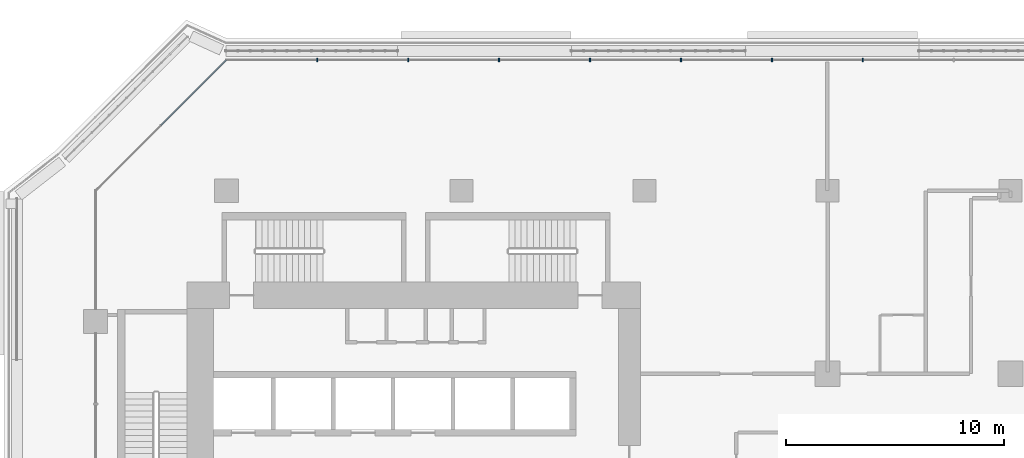
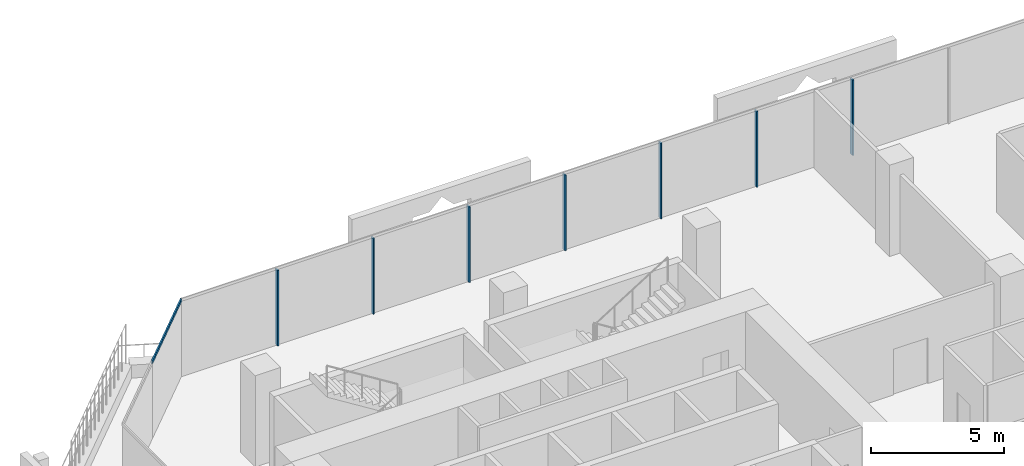
# One storey, part 8 of 27: 8 members, 2 elements without a shape of their own.
"""IFC4 building model written with IfcOpenShell, lengths in metres."""

from ifc_helpers import new_model, si_unit, direction, frame, origin, origin_2d, place, context, subcontext, project, spatial, rectangle, extrude, material, layer, layer_set, material_profile, profile_set, type_object, element, aggregate, save


model = new_model("IFC4")

# Units and contexts
model_context = context("Model", 3, precision=1e-05, world=origin(), true_north=direction((0.0, 1.0)))
body_context = subcontext(model_context, "Body", "Model", "MODEL_VIEW")
ifc_project = project(units=[si_unit("LENGTHUNIT", "METRE"), si_unit("AREAUNIT", "SQUARE_METRE"), si_unit("VOLUMEUNIT", "CUBIC_METRE"), si_unit("PLANEANGLEUNIT", "RADIAN"), si_unit("MASSUNIT", "GRAM", prefix="KILO")], contexts=[model_context])

# Site, building, storey
site_placement = place(None, origin())
site = spatial("IfcSite", under=ifc_project, at=site_placement, CompositionType="ELEMENT")
building_placement = place(site_placement, origin())
building = spatial("IfcBuilding", under=site, at=building_placement, Name="Kawkab Arch Medical Tower", CompositionType="ELEMENT")
storey_placement = place(building_placement, frame((0.0, 0.0, 115.60009765625)))
storey = spatial("IfcBuildingStorey", under=building, at=storey_placement, Name="L26", CompositionType="ELEMENT", Elevation=115.60009765625)

# Curtain wall, members
ifc_material_1 = material(Name="Bronze anodised aluminium curtain wall frame", Category="aluminium")
ifc_layer_1 = layer(ifc_material_1, 0.159912109375)
ifc_layer_set_1 = layer_set([ifc_layer_1], Name="Bronze anodised aluminium curtain wall frame")
curtain_wall_type_1 = type_object("IfcCurtainWallType", Name="CW1 ward curtain wall", PredefinedType="NOTDEFINED", material=ifc_layer_set_1)
placement = place(storey_placement, origin())
curtain_wall_1 = element("IfcCurtainWall", 1, at=placement, inside=storey, type_object=curtain_wall_type_1, Name="CW1 Ward curtain wall R11", PredefinedType="NOTDEFINED")
ifc_material_2 = material(Name="Bronze anodised aluminium curtain wall frame", Category="aluminium")
ifc_material_profile_1 = material_profile(ifc_material_2, rectangle(XDim=0.179931640625, YDim=0.06005859375, at=origin_2d()), Name="AL 60x180")
ifc_profile_set_1 = profile_set([ifc_material_profile_1], Name="Bronze anodised aluminium curtain wall frame")
member_type_1 = type_object("IfcMemberType", Name="CW1 mullion 60 x 180", PredefinedType="MULLION", material=ifc_profile_set_1)
member_1_placement = place(storey_placement, frame((35.21337890625, 6.0, 0.0), z_axis=(0.0, 0.0, 1.0), x_axis=(0.0, -1.0, 0.0)))
member_1 = element("IfcMember", 2, at=member_1_placement, type_object=member_type_1, Name="CW1 mullion 1.8", PredefinedType="MULLION", context=body_context, shape_type="SweptSolid", body=[
    extrude(rectangle(XDim=0.179931640625, YDim=0.06005859375, at=origin_2d()), origin(), (0.0, 0.0, 1.0), 3.47998046875),
])
member_2_placement = place(storey_placement, frame((31.0400390625, 6.0, 0.0), z_axis=(0.0, 0.0, 1.0), x_axis=(0.0, -1.0, 0.0)))
member_2 = element("IfcMember", 3, at=member_2_placement, type_object=member_type_1, Name="CW1 mullion 1.9", PredefinedType="MULLION", context=body_context, shape_type="SweptSolid", body=[
    extrude(rectangle(XDim=0.179931640625, YDim=0.06005859375, at=origin_2d()), origin(), (0.0, 0.0, 1.0), 3.47998046875),
])
member_3_placement = place(storey_placement, frame((26.86669921875, 6.0, 0.0), z_axis=(0.0, 0.0, 1.0), x_axis=(0.0, -1.0, 0.0)))
member_3 = element("IfcMember", 4, at=member_3_placement, type_object=member_type_1, Name="CW1 mullion 1.10", PredefinedType="MULLION", context=body_context, shape_type="SweptSolid", body=[
    extrude(rectangle(XDim=0.179931640625, YDim=0.06005859375, at=origin_2d()), origin(), (0.0, 0.0, 1.0), 3.47998046875),
])
member_4_placement = place(storey_placement, frame((22.693359375, 6.0, 0.0), z_axis=(0.0, 0.0, 1.0), x_axis=(0.0, -1.0, 0.0)))
member_4 = element("IfcMember", 5, at=member_4_placement, type_object=member_type_1, Name="CW1 mullion 1.11", PredefinedType="MULLION", context=body_context, shape_type="SweptSolid", body=[
    extrude(rectangle(XDim=0.179931640625, YDim=0.06005859375, at=origin_2d()), origin(), (0.0, 0.0, 1.0), 3.47998046875),
])
member_5_placement = place(storey_placement, frame((18.52001953125, 6.0, 0.0), z_axis=(0.0, 0.0, 1.0), x_axis=(0.0, -1.0, 0.0)))
member_5 = element("IfcMember", 6, at=member_5_placement, type_object=member_type_1, Name="CW1 mullion 1.12", PredefinedType="MULLION", context=body_context, shape_type="SweptSolid", body=[
    extrude(rectangle(XDim=0.179931640625, YDim=0.06005859375, at=origin_2d()), origin(), (0.0, 0.0, 1.0), 3.47998046875),
])
member_6_placement = place(storey_placement, frame((14.3466796875, 6.0, 0.0), z_axis=(0.0, 0.0, 1.0), x_axis=(0.0, -1.0, 0.0)))
member_6 = element("IfcMember", 7, at=member_6_placement, type_object=member_type_1, Name="CW1 mullion 1.13", PredefinedType="MULLION", context=body_context, shape_type="SweptSolid", body=[
    extrude(rectangle(XDim=0.179931640625, YDim=0.06005859375, at=origin_2d()), origin(), (0.0, 0.0, 1.0), 3.47998046875),
])
member_7_placement = place(storey_placement, frame((10.17333984375, 6.0, 0.0), z_axis=(0.0, 0.0, 1.0), x_axis=(0.0, -1.0, 0.0)))
member_7 = element("IfcMember", 8, at=member_7_placement, type_object=member_type_1, Name="CW1 mullion 1.14", PredefinedType="MULLION", context=body_context, shape_type="SweptSolid", body=[
    extrude(rectangle(XDim=0.179931640625, YDim=0.06005859375, at=origin_2d()), origin(), (0.0, 0.0, 1.0), 3.47998046875),
])
aggregate(curtain_wall_1, [member_1, member_2, member_3, member_4, member_5, member_6, member_7])

# Curtain wall, member
ifc_material_3 = material(Name="Bronze anodised aluminium curtain wall frame", Category="aluminium")
ifc_layer_2 = layer(ifc_material_3, 0.159912109375)
ifc_layer_set_2 = layer_set([ifc_layer_2], Name="Bronze anodised aluminium curtain wall frame")
curtain_wall_type_2 = type_object("IfcCurtainWallType", Name="CW2 chamfer curtain wall", PredefinedType="NOTDEFINED", material=ifc_layer_set_2)
curtain_wall_2 = element("IfcCurtainWall", 9, at=placement, inside=storey, type_object=curtain_wall_type_2, Name="CW2 Chamfer curtain wall R12", PredefinedType="NOTDEFINED")
ifc_material_4 = material(Name="Bronze anodised aluminium curtain wall frame", Category="aluminium")
ifc_material_profile_2 = material_profile(ifc_material_4, rectangle(XDim=0.06005859375, YDim=0.139892578125, at=origin_2d()), Name="AL 60x140")
ifc_profile_set_2 = profile_set([ifc_material_profile_2], Name="Bronze anodised aluminium curtain wall frame")
member_type_2 = type_object("IfcMemberType", Name="CW2 transom 140 x 60", PredefinedType="USERDEFINED", material=ifc_profile_set_2)
member_8_placement = place(storey_placement, frame((6.0, 6.0, 3.52978515625), z_axis=(-0.707106781187, -0.707106781187, 0.0), x_axis=(0.707106781187, -0.707106781187, 0.0)))
member_8 = element("IfcMember", 10, at=member_8_placement, type_object=member_type_2, Name="CW2 transom 1", ObjectType="TRANSOM", PredefinedType="USERDEFINED", context=body_context, shape_type="SweptSolid", body=[
    extrude(rectangle(XDim=0.06005859375, YDim=0.139892578125, at=origin_2d()), origin(), (0.0, 0.0, 1.0), 4.24267578125),
])
aggregate(curtain_wall_2, [member_8])

save(model, "model.ifc")
